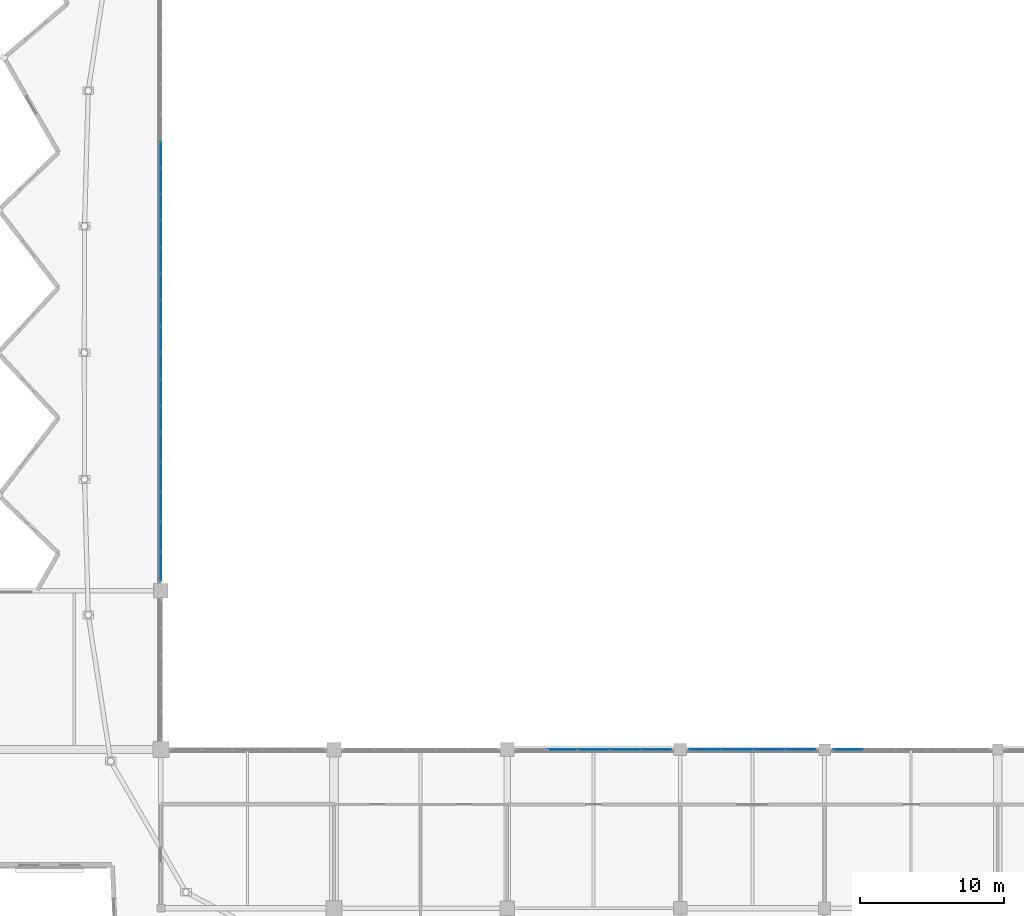
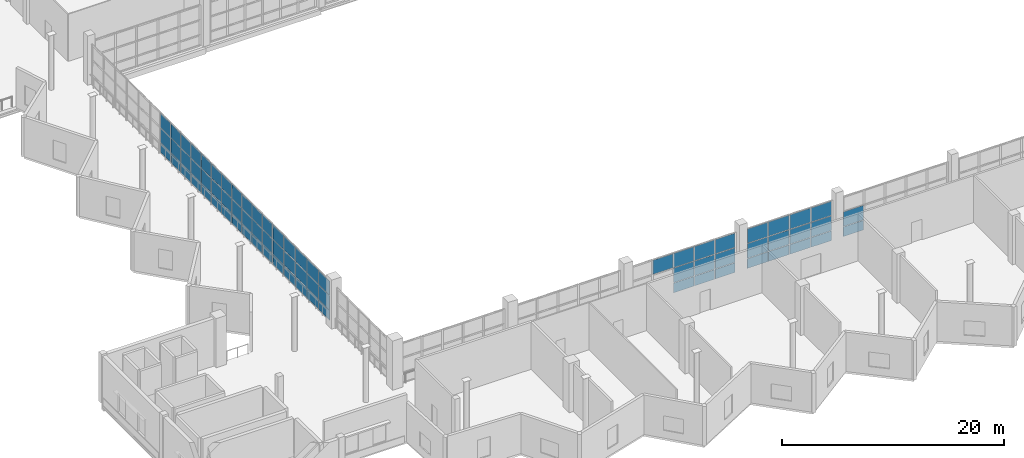
# One storey, part 30 of 49: 72 plates, 6 elements without a shape of their own.
"""IFC4 building model written with IfcOpenShell, lengths in metres."""

from ifc_helpers import new_model, si_unit, direction, frame, origin, origin_2d, place, context, subcontext, project, spatial, rectangle, extrude, material, layer, layer_set, type_object, element, aggregate, save


model = new_model("IFC4")

# Units and contexts
model_context = context("Model", 3, precision=1e-05, world=origin(), true_north=direction((0.0, 1.0)))
body_context = subcontext(model_context, "Body", "Model", "MODEL_VIEW")
ifc_project = project(units=[si_unit("LENGTHUNIT", "METRE"), si_unit("AREAUNIT", "SQUARE_METRE"), si_unit("VOLUMEUNIT", "CUBIC_METRE"), si_unit("PLANEANGLEUNIT", "RADIAN"), si_unit("MASSUNIT", "GRAM", prefix="KILO")], contexts=[model_context])

# Site, building, storey
site_placement = place(None, origin())
site = spatial("IfcSite", under=ifc_project, at=site_placement, CompositionType="ELEMENT")
building_placement = place(site_placement, origin())
building = spatial("IfcBuilding", under=site, at=building_placement, Name="Luwafu Chhajja Arena", CompositionType="ELEMENT")
storey_placement = place(building_placement, frame((0.0, 0.0, 24.300048828125)))
storey = spatial("IfcBuildingStorey", under=building, at=storey_placement, Name="L05", CompositionType="ELEMENT", Elevation=24.300048828125)

# Curtain wall, plates
ifc_material_1 = material(Name="Anodised bronze aluminium", Category="aluminium")
curtain_wall_type = type_object("IfcCurtainWallType", Name="VIP Club Terrace Curtain Wall", PredefinedType="USERDEFINED", material=ifc_material_1)
curtain_wall_1_placement = place(storey_placement, origin())
curtain_wall_1 = element("IfcCurtainWall", 1, at=curtain_wall_1_placement, inside=storey, type_object=curtain_wall_type, Name="L05 Bowl Viewing Curtain Wall CWR-L05-03", ObjectType="CURTAIN WALL", PredefinedType="USERDEFINED")
ifc_material_2 = material(Name="Solar-control laminated glass", Category="glass")
ifc_layer = layer(ifc_material_2, 0.035888671875, Name="Solar-control laminated glass")
ifc_layer_set = layer_set([ifc_layer], Name="Solar-control laminated glass")
plate_type = type_object("IfcPlateType", Name="Acoustic Broadcast Double Glazed CW Panel 36", PredefinedType="CURTAIN_PANEL", material=ifc_layer_set)
plate_1_placement = place(storey_placement, frame((85.861083984375, 22.0, 2.83251953125), z_axis=(0.0, 0.0, 1.0), x_axis=(1.0, 0.0, 0.0)))
plate_1 = element("IfcPlate", 2, at=plate_1_placement, type_object=plate_type, Name="CW-10 panel 2.3", PredefinedType="CURTAIN_PANEL", context=body_context, shape_type="SweptSolid", body=[
    extrude(rectangle(XDim=2.09912109375, YDim=0.035888671875, at=origin_2d()), origin(), (0.0, 0.0, 1.0), 1.552490234375),
])
plate_2_placement = place(storey_placement, frame((88.02490234375, 22.0, 0.06494140625), z_axis=(0.0, 0.0, 1.0), x_axis=(1.0, 0.0, 0.0)))
plate_2 = element("IfcPlate", 3, at=plate_2_placement, type_object=plate_type, Name="CW-10 panel 3.1", PredefinedType="CURTAIN_PANEL", context=body_context, shape_type="SweptSolid", body=[
    extrude(rectangle(XDim=2.09912109375, YDim=0.035888671875, at=origin_2d()), origin(), (0.0, 0.0, 1.0), 1.052490234375),
])
plate_3_placement = place(storey_placement, frame((88.02490234375, 22.0, 1.182373046875), z_axis=(0.0, 0.0, 1.0), x_axis=(1.0, 0.0, 0.0)))
plate_3 = element("IfcPlate", 4, at=plate_3_placement, type_object=plate_type, Name="CW-10 panel 3.2", PredefinedType="CURTAIN_PANEL", context=body_context, shape_type="SweptSolid", body=[
    extrude(rectangle(XDim=2.09912109375, YDim=0.035888671875, at=origin_2d()), origin(), (0.0, 0.0, 1.0), 1.5849609375),
])
plate_4_placement = place(storey_placement, frame((88.02490234375, 22.0, 2.83251953125), z_axis=(0.0, 0.0, 1.0), x_axis=(1.0, 0.0, 0.0)))
plate_4 = element("IfcPlate", 5, at=plate_4_placement, type_object=plate_type, Name="CW-10 panel 3.3", PredefinedType="CURTAIN_PANEL", context=body_context, shape_type="SweptSolid", body=[
    extrude(rectangle(XDim=2.09912109375, YDim=0.035888671875, at=origin_2d()), origin(), (0.0, 0.0, 1.0), 1.552490234375),
])
plate_5_placement = place(storey_placement, frame((90.18896484375, 22.0, 0.06494140625), z_axis=(0.0, 0.0, 1.0), x_axis=(1.0, 0.0, 0.0)))
plate_5 = element("IfcPlate", 6, at=plate_5_placement, type_object=plate_type, Name="CW-10 panel 4.1", PredefinedType="CURTAIN_PANEL", context=body_context, shape_type="SweptSolid", body=[
    extrude(rectangle(XDim=2.09912109375, YDim=0.035888671875, at=origin_2d()), origin(), (0.0, 0.0, 1.0), 1.052490234375),
])
plate_6_placement = place(storey_placement, frame((90.18896484375, 22.0, 1.182373046875), z_axis=(0.0, 0.0, 1.0), x_axis=(1.0, 0.0, 0.0)))
plate_6 = element("IfcPlate", 7, at=plate_6_placement, type_object=plate_type, Name="CW-10 panel 4.2", PredefinedType="CURTAIN_PANEL", context=body_context, shape_type="SweptSolid", body=[
    extrude(rectangle(XDim=2.09912109375, YDim=0.035888671875, at=origin_2d()), origin(), (0.0, 0.0, 1.0), 1.5849609375),
])
plate_7_placement = place(storey_placement, frame((90.18896484375, 22.0, 2.83251953125), z_axis=(0.0, 0.0, 1.0), x_axis=(1.0, 0.0, 0.0)))
plate_7 = element("IfcPlate", 8, at=plate_7_placement, type_object=plate_type, Name="CW-10 panel 4.3", PredefinedType="CURTAIN_PANEL", context=body_context, shape_type="SweptSolid", body=[
    extrude(rectangle(XDim=2.09912109375, YDim=0.035888671875, at=origin_2d()), origin(), (0.0, 0.0, 1.0), 1.552490234375),
])
plate_8_placement = place(storey_placement, frame((92.336669921875, 22.0, 0.06494140625), z_axis=(0.0, 0.0, 1.0), x_axis=(1.0, 0.0, 0.0)))
plate_8 = element("IfcPlate", 9, at=plate_8_placement, type_object=plate_type, Name="CW-10 panel 5.1", PredefinedType="CURTAIN_PANEL", context=body_context, shape_type="SweptSolid", body=[
    extrude(rectangle(XDim=2.06640625, YDim=0.035888671875, at=origin_2d()), origin(), (0.0, 0.0, 1.0), 1.052490234375),
])
plate_9_placement = place(storey_placement, frame((92.336669921875, 22.0, 1.182373046875), z_axis=(0.0, 0.0, 1.0), x_axis=(1.0, 0.0, 0.0)))
plate_9 = element("IfcPlate", 10, at=plate_9_placement, type_object=plate_type, Name="CW-10 panel 5.2", PredefinedType="CURTAIN_PANEL", context=body_context, shape_type="SweptSolid", body=[
    extrude(rectangle(XDim=2.06640625, YDim=0.035888671875, at=origin_2d()), origin(), (0.0, 0.0, 1.0), 1.5849609375),
])
plate_10_placement = place(storey_placement, frame((92.336669921875, 22.0, 2.83251953125), z_axis=(0.0, 0.0, 1.0), x_axis=(1.0, 0.0, 0.0)))
plate_10 = element("IfcPlate", 11, at=plate_10_placement, type_object=plate_type, Name="CW-10 panel 5.3", PredefinedType="CURTAIN_PANEL", context=body_context, shape_type="SweptSolid", body=[
    extrude(rectangle(XDim=2.06640625, YDim=0.035888671875, at=origin_2d()), origin(), (0.0, 0.0, 1.0), 1.552490234375),
])
aggregate(curtain_wall_1, [plate_1, plate_2, plate_3, plate_4, plate_5, plate_6, plate_7, plate_8, plate_9, plate_10])

curtain_wall_2_placement = place(storey_placement, origin())
curtain_wall_2 = element("IfcCurtainWall", 12, at=curtain_wall_2_placement, inside=storey, type_object=curtain_wall_type, Name="L05 Bowl Viewing Curtain Wall CWR-L05-04", ObjectType="CURTAIN WALL", PredefinedType="USERDEFINED")
plate_11_placement = place(storey_placement, frame((95.693115234375, 22.0, 0.06494140625), z_axis=(0.0, 0.0, 1.0), x_axis=(1.0, 0.0, 0.0)))
plate_11 = element("IfcPlate", 13, at=plate_11_placement, type_object=plate_type, Name="CW-10 panel 1.1", PredefinedType="CURTAIN_PANEL", context=body_context, shape_type="SweptSolid", body=[
    extrude(rectangle(XDim=2.126220703125, YDim=0.035888671875, at=origin_2d()), origin(), (0.0, 0.0, 1.0), 1.052490234375),
])
plate_12_placement = place(storey_placement, frame((95.693115234375, 22.0, 1.182373046875), z_axis=(0.0, 0.0, 1.0), x_axis=(1.0, 0.0, 0.0)))
plate_12 = element("IfcPlate", 14, at=plate_12_placement, type_object=plate_type, Name="CW-10 panel 1.2", PredefinedType="CURTAIN_PANEL", context=body_context, shape_type="SweptSolid", body=[
    extrude(rectangle(XDim=2.126220703125, YDim=0.035888671875, at=origin_2d()), origin(), (0.0, 0.0, 1.0), 1.5849609375),
])
plate_13_placement = place(storey_placement, frame((95.693115234375, 22.0, 2.83251953125), z_axis=(0.0, 0.0, 1.0), x_axis=(1.0, 0.0, 0.0)))
plate_13 = element("IfcPlate", 15, at=plate_13_placement, type_object=plate_type, Name="CW-10 panel 1.3", PredefinedType="CURTAIN_PANEL", context=body_context, shape_type="SweptSolid", body=[
    extrude(rectangle(XDim=2.126220703125, YDim=0.035888671875, at=origin_2d()), origin(), (0.0, 0.0, 1.0), 1.552490234375),
])
plate_14_placement = place(storey_placement, frame((97.900634765625, 22.0, 0.06494140625), z_axis=(0.0, 0.0, 1.0), x_axis=(1.0, 0.0, 0.0)))
plate_14 = element("IfcPlate", 16, at=plate_14_placement, type_object=plate_type, Name="CW-10 panel 2.1", PredefinedType="CURTAIN_PANEL", context=body_context, shape_type="SweptSolid", body=[
    extrude(rectangle(XDim=2.15869140625, YDim=0.035888671875, at=origin_2d()), origin(), (0.0, 0.0, 1.0), 1.052490234375),
])
plate_15_placement = place(storey_placement, frame((97.900634765625, 22.0, 1.182373046875), z_axis=(0.0, 0.0, 1.0), x_axis=(1.0, 0.0, 0.0)))
plate_15 = element("IfcPlate", 17, at=plate_15_placement, type_object=plate_type, Name="CW-10 panel 2.2", PredefinedType="CURTAIN_PANEL", context=body_context, shape_type="SweptSolid", body=[
    extrude(rectangle(XDim=2.15869140625, YDim=0.035888671875, at=origin_2d()), origin(), (0.0, 0.0, 1.0), 1.5849609375),
])
plate_16_placement = place(storey_placement, frame((97.900634765625, 22.0, 2.83251953125), z_axis=(0.0, 0.0, 1.0), x_axis=(1.0, 0.0, 0.0)))
plate_16 = element("IfcPlate", 18, at=plate_16_placement, type_object=plate_type, Name="CW-10 panel 2.3", PredefinedType="CURTAIN_PANEL", context=body_context, shape_type="SweptSolid", body=[
    extrude(rectangle(XDim=2.15869140625, YDim=0.035888671875, at=origin_2d()), origin(), (0.0, 0.0, 1.0), 1.552490234375),
])
plate_17_placement = place(storey_placement, frame((100.124267578125, 22.0, 0.06494140625), z_axis=(0.0, 0.0, 1.0), x_axis=(1.0, 0.0, 0.0)))
plate_17 = element("IfcPlate", 19, at=plate_17_placement, type_object=plate_type, Name="CW-10 panel 3.1", PredefinedType="CURTAIN_PANEL", context=body_context, shape_type="SweptSolid", body=[
    extrude(rectangle(XDim=2.15869140625, YDim=0.035888671875, at=origin_2d()), origin(), (0.0, 0.0, 1.0), 1.052490234375),
])
plate_18_placement = place(storey_placement, frame((100.124267578125, 22.0, 1.182373046875), z_axis=(0.0, 0.0, 1.0), x_axis=(1.0, 0.0, 0.0)))
plate_18 = element("IfcPlate", 20, at=plate_18_placement, type_object=plate_type, Name="CW-10 panel 3.2", PredefinedType="CURTAIN_PANEL", context=body_context, shape_type="SweptSolid", body=[
    extrude(rectangle(XDim=2.15869140625, YDim=0.035888671875, at=origin_2d()), origin(), (0.0, 0.0, 1.0), 1.5849609375),
])
plate_19_placement = place(storey_placement, frame((100.124267578125, 22.0, 2.83251953125), z_axis=(0.0, 0.0, 1.0), x_axis=(1.0, 0.0, 0.0)))
plate_19 = element("IfcPlate", 21, at=plate_19_placement, type_object=plate_type, Name="CW-10 panel 3.3", PredefinedType="CURTAIN_PANEL", context=body_context, shape_type="SweptSolid", body=[
    extrude(rectangle(XDim=2.15869140625, YDim=0.035888671875, at=origin_2d()), origin(), (0.0, 0.0, 1.0), 1.552490234375),
])
plate_20_placement = place(storey_placement, frame((102.331787109375, 22.0, 0.06494140625), z_axis=(0.0, 0.0, 1.0), x_axis=(1.0, 0.0, 0.0)))
plate_20 = element("IfcPlate", 22, at=plate_20_placement, type_object=plate_type, Name="CW-10 panel 4.1", PredefinedType="CURTAIN_PANEL", context=body_context, shape_type="SweptSolid", body=[
    extrude(rectangle(XDim=2.126220703125, YDim=0.035888671875, at=origin_2d()), origin(), (0.0, 0.0, 1.0), 1.052490234375),
])
plate_21_placement = place(storey_placement, frame((102.331787109375, 22.0, 1.182373046875), z_axis=(0.0, 0.0, 1.0), x_axis=(1.0, 0.0, 0.0)))
plate_21 = element("IfcPlate", 23, at=plate_21_placement, type_object=plate_type, Name="CW-10 panel 4.2", PredefinedType="CURTAIN_PANEL", context=body_context, shape_type="SweptSolid", body=[
    extrude(rectangle(XDim=2.126220703125, YDim=0.035888671875, at=origin_2d()), origin(), (0.0, 0.0, 1.0), 1.5849609375),
])
plate_22_placement = place(storey_placement, frame((102.331787109375, 22.0, 2.83251953125), z_axis=(0.0, 0.0, 1.0), x_axis=(1.0, 0.0, 0.0)))
plate_22 = element("IfcPlate", 24, at=plate_22_placement, type_object=plate_type, Name="CW-10 panel 4.3", PredefinedType="CURTAIN_PANEL", context=body_context, shape_type="SweptSolid", body=[
    extrude(rectangle(XDim=2.126220703125, YDim=0.035888671875, at=origin_2d()), origin(), (0.0, 0.0, 1.0), 1.552490234375),
])
aggregate(curtain_wall_2, [plate_11, plate_12, plate_13, plate_14, plate_15, plate_16, plate_17, plate_18, plate_19, plate_20, plate_21, plate_22])

curtain_wall_3_placement = place(storey_placement, origin())
curtain_wall_3 = element("IfcCurtainWall", 25, at=curtain_wall_3_placement, inside=storey, type_object=curtain_wall_type, Name="L05 Bowl Viewing Curtain Wall CWR-L05-05", ObjectType="CURTAIN WALL", PredefinedType="USERDEFINED")
plate_23_placement = place(storey_placement, frame((105.650634765625, 22.0, 0.06494140625), z_axis=(0.0, 0.0, 1.0), x_axis=(1.0, 0.0, 0.0)))
plate_23 = element("IfcPlate", 26, at=plate_23_placement, type_object=plate_type, Name="CW-10 panel 1.1", PredefinedType="CURTAIN_PANEL", context=body_context, shape_type="SweptSolid", body=[
    extrude(rectangle(XDim=2.091552734375, YDim=0.035888671875, at=origin_2d()), origin(), (0.0, 0.0, 1.0), 1.052490234375),
])
plate_24_placement = place(storey_placement, frame((105.650634765625, 22.0, 1.182373046875), z_axis=(0.0, 0.0, 1.0), x_axis=(1.0, 0.0, 0.0)))
plate_24 = element("IfcPlate", 27, at=plate_24_placement, type_object=plate_type, Name="CW-10 panel 1.2", PredefinedType="CURTAIN_PANEL", context=body_context, shape_type="SweptSolid", body=[
    extrude(rectangle(XDim=2.091552734375, YDim=0.035888671875, at=origin_2d()), origin(), (0.0, 0.0, 1.0), 1.5849609375),
])
aggregate(curtain_wall_3, [plate_23, plate_24])

curtain_wall_4_placement = place(storey_placement, origin())
curtain_wall_4 = element("IfcCurtainWall", 28, at=curtain_wall_4_placement, inside=storey, type_object=curtain_wall_type, Name="L05 Bowl Viewing Curtain Wall CWR-L05-16", ObjectType="CURTAIN WALL", PredefinedType="USERDEFINED")
plate_25_placement = place(storey_placement, frame((58.0, 34.692138671875, 0.06494140625), z_axis=(0.0, 0.0, 1.0), x_axis=(0.0, 1.0, 0.0)))
plate_25 = element("IfcPlate", 29, at=plate_25_placement, type_object=plate_type, Name="CW-10 panel 1.1", PredefinedType="CURTAIN_PANEL", context=body_context, shape_type="SweptSolid", body=[
    extrude(rectangle(XDim=1.974609375, YDim=0.035888671875, at=origin_2d()), origin(), (0.0, 0.0, 1.0), 1.052490234375),
])
plate_26_placement = place(storey_placement, frame((58.0, 34.692138671875, 1.182373046875), z_axis=(0.0, 0.0, 1.0), x_axis=(0.0, 1.0, 0.0)))
plate_26 = element("IfcPlate", 30, at=plate_26_placement, type_object=plate_type, Name="CW-10 panel 1.2", PredefinedType="CURTAIN_PANEL", context=body_context, shape_type="SweptSolid", body=[
    extrude(rectangle(XDim=1.974609375, YDim=0.035888671875, at=origin_2d()), origin(), (0.0, 0.0, 1.0), 1.5849609375),
])
plate_27_placement = place(storey_placement, frame((58.0, 34.692138671875, 2.83251953125), z_axis=(0.0, 0.0, 1.0), x_axis=(0.0, 1.0, 0.0)))
plate_27 = element("IfcPlate", 31, at=plate_27_placement, type_object=plate_type, Name="CW-10 panel 1.3", PredefinedType="CURTAIN_PANEL", context=body_context, shape_type="SweptSolid", body=[
    extrude(rectangle(XDim=1.974609375, YDim=0.035888671875, at=origin_2d()), origin(), (0.0, 0.0, 1.0), 1.552490234375),
])
plate_28_placement = place(storey_placement, frame((58.0, 36.748046875, 0.06494140625), z_axis=(0.0, 0.0, 1.0), x_axis=(0.0, 1.0, 0.0)))
plate_28 = element("IfcPlate", 32, at=plate_28_placement, type_object=plate_type, Name="CW-10 panel 2.1", PredefinedType="CURTAIN_PANEL", context=body_context, shape_type="SweptSolid", body=[
    extrude(rectangle(XDim=2.007080078125, YDim=0.035888671875, at=origin_2d()), origin(), (0.0, 0.0, 1.0), 1.052490234375),
])
plate_29_placement = place(storey_placement, frame((58.0, 36.748046875, 1.182373046875), z_axis=(0.0, 0.0, 1.0), x_axis=(0.0, 1.0, 0.0)))
plate_29 = element("IfcPlate", 33, at=plate_29_placement, type_object=plate_type, Name="CW-10 panel 2.2", PredefinedType="CURTAIN_PANEL", context=body_context, shape_type="SweptSolid", body=[
    extrude(rectangle(XDim=2.007080078125, YDim=0.035888671875, at=origin_2d()), origin(), (0.0, 0.0, 1.0), 1.5849609375),
])
plate_30_placement = place(storey_placement, frame((58.0, 36.748046875, 2.83251953125), z_axis=(0.0, 0.0, 1.0), x_axis=(0.0, 1.0, 0.0)))
plate_30 = element("IfcPlate", 34, at=plate_30_placement, type_object=plate_type, Name="CW-10 panel 2.3", PredefinedType="CURTAIN_PANEL", context=body_context, shape_type="SweptSolid", body=[
    extrude(rectangle(XDim=2.007080078125, YDim=0.035888671875, at=origin_2d()), origin(), (0.0, 0.0, 1.0), 1.552490234375),
])
plate_31_placement = place(storey_placement, frame((58.0, 38.820068359375, 0.06494140625), z_axis=(0.0, 0.0, 1.0), x_axis=(0.0, 1.0, 0.0)))
plate_31 = element("IfcPlate", 35, at=plate_31_placement, type_object=plate_type, Name="CW-10 panel 3.1", PredefinedType="CURTAIN_PANEL", context=body_context, shape_type="SweptSolid", body=[
    extrude(rectangle(XDim=2.007080078125, YDim=0.035888671875, at=origin_2d()), origin(), (0.0, 0.0, 1.0), 1.052490234375),
])
plate_32_placement = place(storey_placement, frame((58.0, 38.820068359375, 1.182373046875), z_axis=(0.0, 0.0, 1.0), x_axis=(0.0, 1.0, 0.0)))
plate_32 = element("IfcPlate", 36, at=plate_32_placement, type_object=plate_type, Name="CW-10 panel 3.2", PredefinedType="CURTAIN_PANEL", context=body_context, shape_type="SweptSolid", body=[
    extrude(rectangle(XDim=2.007080078125, YDim=0.035888671875, at=origin_2d()), origin(), (0.0, 0.0, 1.0), 1.5849609375),
])
plate_33_placement = place(storey_placement, frame((58.0, 38.820068359375, 2.83251953125), z_axis=(0.0, 0.0, 1.0), x_axis=(0.0, 1.0, 0.0)))
plate_33 = element("IfcPlate", 37, at=plate_33_placement, type_object=plate_type, Name="CW-10 panel 3.3", PredefinedType="CURTAIN_PANEL", context=body_context, shape_type="SweptSolid", body=[
    extrude(rectangle(XDim=2.007080078125, YDim=0.035888671875, at=origin_2d()), origin(), (0.0, 0.0, 1.0), 1.552490234375),
])
plate_34_placement = place(storey_placement, frame((58.0, 40.89208984375, 0.06494140625), z_axis=(0.0, 0.0, 1.0), x_axis=(0.0, 1.0, 0.0)))
plate_34 = element("IfcPlate", 38, at=plate_34_placement, type_object=plate_type, Name="CW-10 panel 4.1", PredefinedType="CURTAIN_PANEL", context=body_context, shape_type="SweptSolid", body=[
    extrude(rectangle(XDim=2.007080078125, YDim=0.035888671875, at=origin_2d()), origin(), (0.0, 0.0, 1.0), 1.052490234375),
])
plate_35_placement = place(storey_placement, frame((58.0, 40.89208984375, 1.182373046875), z_axis=(0.0, 0.0, 1.0), x_axis=(0.0, 1.0, 0.0)))
plate_35 = element("IfcPlate", 39, at=plate_35_placement, type_object=plate_type, Name="CW-10 panel 4.2", PredefinedType="CURTAIN_PANEL", context=body_context, shape_type="SweptSolid", body=[
    extrude(rectangle(XDim=2.007080078125, YDim=0.035888671875, at=origin_2d()), origin(), (0.0, 0.0, 1.0), 1.5849609375),
])
plate_36_placement = place(storey_placement, frame((58.0, 40.89208984375, 2.83251953125), z_axis=(0.0, 0.0, 1.0), x_axis=(0.0, 1.0, 0.0)))
plate_36 = element("IfcPlate", 40, at=plate_36_placement, type_object=plate_type, Name="CW-10 panel 4.3", PredefinedType="CURTAIN_PANEL", context=body_context, shape_type="SweptSolid", body=[
    extrude(rectangle(XDim=2.007080078125, YDim=0.035888671875, at=origin_2d()), origin(), (0.0, 0.0, 1.0), 1.552490234375),
])
plate_37_placement = place(storey_placement, frame((58.0, 42.94775390625, 0.06494140625), z_axis=(0.0, 0.0, 1.0), x_axis=(0.0, 1.0, 0.0)))
plate_37 = element("IfcPlate", 41, at=plate_37_placement, type_object=plate_type, Name="CW-10 panel 5.1", PredefinedType="CURTAIN_PANEL", context=body_context, shape_type="SweptSolid", body=[
    extrude(rectangle(XDim=1.974609375, YDim=0.035888671875, at=origin_2d()), origin(), (0.0, 0.0, 1.0), 1.052490234375),
])
plate_38_placement = place(storey_placement, frame((58.0, 42.94775390625, 1.182373046875), z_axis=(0.0, 0.0, 1.0), x_axis=(0.0, 1.0, 0.0)))
plate_38 = element("IfcPlate", 42, at=plate_38_placement, type_object=plate_type, Name="CW-10 panel 5.2", PredefinedType="CURTAIN_PANEL", context=body_context, shape_type="SweptSolid", body=[
    extrude(rectangle(XDim=1.974609375, YDim=0.035888671875, at=origin_2d()), origin(), (0.0, 0.0, 1.0), 1.5849609375),
])
plate_39_placement = place(storey_placement, frame((58.0, 42.94775390625, 2.83251953125), z_axis=(0.0, 0.0, 1.0), x_axis=(0.0, 1.0, 0.0)))
plate_39 = element("IfcPlate", 43, at=plate_39_placement, type_object=plate_type, Name="CW-10 panel 5.3", PredefinedType="CURTAIN_PANEL", context=body_context, shape_type="SweptSolid", body=[
    extrude(rectangle(XDim=1.974609375, YDim=0.035888671875, at=origin_2d()), origin(), (0.0, 0.0, 1.0), 1.552490234375),
])
aggregate(curtain_wall_4, [plate_25, plate_26, plate_27, plate_28, plate_29, plate_30, plate_31, plate_32, plate_33, plate_34, plate_35, plate_36, plate_37, plate_38, plate_39])

curtain_wall_5_placement = place(storey_placement, origin())
curtain_wall_5 = element("IfcCurtainWall", 44, at=curtain_wall_5_placement, inside=storey, type_object=curtain_wall_type, Name="L05 Bowl Viewing Curtain Wall CWR-L05-17", ObjectType="CURTAIN WALL", PredefinedType="USERDEFINED")
plate_40_placement = place(storey_placement, frame((58.0, 44.932861328125, 0.06494140625), z_axis=(0.0, 0.0, 1.0), x_axis=(0.0, 1.0, 0.0)))
plate_40 = element("IfcPlate", 45, at=plate_40_placement, type_object=plate_type, Name="CW-10 panel 1.1", PredefinedType="CURTAIN_PANEL", context=body_context, shape_type="SweptSolid", body=[
    extrude(rectangle(XDim=1.73583984375, YDim=0.035888671875, at=origin_2d()), origin(), (0.0, 0.0, 1.0), 1.052490234375),
])
plate_41_placement = place(storey_placement, frame((58.0, 44.932861328125, 1.182373046875), z_axis=(0.0, 0.0, 1.0), x_axis=(0.0, 1.0, 0.0)))
plate_41 = element("IfcPlate", 46, at=plate_41_placement, type_object=plate_type, Name="CW-10 panel 1.2", PredefinedType="CURTAIN_PANEL", context=body_context, shape_type="SweptSolid", body=[
    extrude(rectangle(XDim=1.73583984375, YDim=0.035888671875, at=origin_2d()), origin(), (0.0, 0.0, 1.0), 1.5849609375),
])
plate_42_placement = place(storey_placement, frame((58.0, 44.932861328125, 2.83251953125), z_axis=(0.0, 0.0, 1.0), x_axis=(0.0, 1.0, 0.0)))
plate_42 = element("IfcPlate", 47, at=plate_42_placement, type_object=plate_type, Name="CW-10 panel 1.3", PredefinedType="CURTAIN_PANEL", context=body_context, shape_type="SweptSolid", body=[
    extrude(rectangle(XDim=1.73583984375, YDim=0.035888671875, at=origin_2d()), origin(), (0.0, 0.0, 1.0), 1.552490234375),
])
plate_43_placement = place(storey_placement, frame((58.0, 46.75, 0.06494140625), z_axis=(0.0, 0.0, 1.0), x_axis=(0.0, 1.0, 0.0)))
plate_43 = element("IfcPlate", 48, at=plate_43_placement, type_object=plate_type, Name="CW-10 panel 2.1", PredefinedType="CURTAIN_PANEL", context=body_context, shape_type="SweptSolid", body=[
    extrude(rectangle(XDim=1.768310546875, YDim=0.035888671875, at=origin_2d()), origin(), (0.0, 0.0, 1.0), 1.052490234375),
])
plate_44_placement = place(storey_placement, frame((58.0, 46.75, 1.182373046875), z_axis=(0.0, 0.0, 1.0), x_axis=(0.0, 1.0, 0.0)))
plate_44 = element("IfcPlate", 49, at=plate_44_placement, type_object=plate_type, Name="CW-10 panel 2.2", PredefinedType="CURTAIN_PANEL", context=body_context, shape_type="SweptSolid", body=[
    extrude(rectangle(XDim=1.768310546875, YDim=0.035888671875, at=origin_2d()), origin(), (0.0, 0.0, 1.0), 1.5849609375),
])
plate_45_placement = place(storey_placement, frame((58.0, 46.75, 2.83251953125), z_axis=(0.0, 0.0, 1.0), x_axis=(0.0, 1.0, 0.0)))
plate_45 = element("IfcPlate", 50, at=plate_45_placement, type_object=plate_type, Name="CW-10 panel 2.3", PredefinedType="CURTAIN_PANEL", context=body_context, shape_type="SweptSolid", body=[
    extrude(rectangle(XDim=1.768310546875, YDim=0.035888671875, at=origin_2d()), origin(), (0.0, 0.0, 1.0), 1.552490234375),
])
plate_46_placement = place(storey_placement, frame((58.0, 48.583251953125, 0.06494140625), z_axis=(0.0, 0.0, 1.0), x_axis=(0.0, 1.0, 0.0)))
plate_46 = element("IfcPlate", 51, at=plate_46_placement, type_object=plate_type, Name="CW-10 panel 3.1", PredefinedType="CURTAIN_PANEL", context=body_context, shape_type="SweptSolid", body=[
    extrude(rectangle(XDim=1.768310546875, YDim=0.035888671875, at=origin_2d()), origin(), (0.0, 0.0, 1.0), 1.052490234375),
])
plate_47_placement = place(storey_placement, frame((58.0, 48.583251953125, 1.182373046875), z_axis=(0.0, 0.0, 1.0), x_axis=(0.0, 1.0, 0.0)))
plate_47 = element("IfcPlate", 52, at=plate_47_placement, type_object=plate_type, Name="CW-10 panel 3.2", PredefinedType="CURTAIN_PANEL", context=body_context, shape_type="SweptSolid", body=[
    extrude(rectangle(XDim=1.768310546875, YDim=0.035888671875, at=origin_2d()), origin(), (0.0, 0.0, 1.0), 1.5849609375),
])
plate_48_placement = place(storey_placement, frame((58.0, 48.583251953125, 2.83251953125), z_axis=(0.0, 0.0, 1.0), x_axis=(0.0, 1.0, 0.0)))
plate_48 = element("IfcPlate", 53, at=plate_48_placement, type_object=plate_type, Name="CW-10 panel 3.3", PredefinedType="CURTAIN_PANEL", context=body_context, shape_type="SweptSolid", body=[
    extrude(rectangle(XDim=1.768310546875, YDim=0.035888671875, at=origin_2d()), origin(), (0.0, 0.0, 1.0), 1.552490234375),
])
plate_49_placement = place(storey_placement, frame((58.0, 50.416748046875, 0.06494140625), z_axis=(0.0, 0.0, 1.0), x_axis=(0.0, 1.0, 0.0)))
plate_49 = element("IfcPlate", 54, at=plate_49_placement, type_object=plate_type, Name="CW-10 panel 4.1", PredefinedType="CURTAIN_PANEL", context=body_context, shape_type="SweptSolid", body=[
    extrude(rectangle(XDim=1.768310546875, YDim=0.035888671875, at=origin_2d()), origin(), (0.0, 0.0, 1.0), 1.052490234375),
])
plate_50_placement = place(storey_placement, frame((58.0, 50.416748046875, 1.182373046875), z_axis=(0.0, 0.0, 1.0), x_axis=(0.0, 1.0, 0.0)))
plate_50 = element("IfcPlate", 55, at=plate_50_placement, type_object=plate_type, Name="CW-10 panel 4.2", PredefinedType="CURTAIN_PANEL", context=body_context, shape_type="SweptSolid", body=[
    extrude(rectangle(XDim=1.768310546875, YDim=0.035888671875, at=origin_2d()), origin(), (0.0, 0.0, 1.0), 1.5849609375),
])
plate_51_placement = place(storey_placement, frame((58.0, 50.416748046875, 2.83251953125), z_axis=(0.0, 0.0, 1.0), x_axis=(0.0, 1.0, 0.0)))
plate_51 = element("IfcPlate", 56, at=plate_51_placement, type_object=plate_type, Name="CW-10 panel 4.3", PredefinedType="CURTAIN_PANEL", context=body_context, shape_type="SweptSolid", body=[
    extrude(rectangle(XDim=1.768310546875, YDim=0.035888671875, at=origin_2d()), origin(), (0.0, 0.0, 1.0), 1.552490234375),
])
plate_52_placement = place(storey_placement, frame((58.0, 52.25, 0.06494140625), z_axis=(0.0, 0.0, 1.0), x_axis=(0.0, 1.0, 0.0)))
plate_52 = element("IfcPlate", 57, at=plate_52_placement, type_object=plate_type, Name="CW-10 panel 5.1", PredefinedType="CURTAIN_PANEL", context=body_context, shape_type="SweptSolid", body=[
    extrude(rectangle(XDim=1.768310546875, YDim=0.035888671875, at=origin_2d()), origin(), (0.0, 0.0, 1.0), 1.052490234375),
])
plate_53_placement = place(storey_placement, frame((58.0, 52.25, 1.182373046875), z_axis=(0.0, 0.0, 1.0), x_axis=(0.0, 1.0, 0.0)))
plate_53 = element("IfcPlate", 58, at=plate_53_placement, type_object=plate_type, Name="CW-10 panel 5.2", PredefinedType="CURTAIN_PANEL", context=body_context, shape_type="SweptSolid", body=[
    extrude(rectangle(XDim=1.768310546875, YDim=0.035888671875, at=origin_2d()), origin(), (0.0, 0.0, 1.0), 1.5849609375),
])
plate_54_placement = place(storey_placement, frame((58.0, 52.25, 2.83251953125), z_axis=(0.0, 0.0, 1.0), x_axis=(0.0, 1.0, 0.0)))
plate_54 = element("IfcPlate", 59, at=plate_54_placement, type_object=plate_type, Name="CW-10 panel 5.3", PredefinedType="CURTAIN_PANEL", context=body_context, shape_type="SweptSolid", body=[
    extrude(rectangle(XDim=1.768310546875, YDim=0.035888671875, at=origin_2d()), origin(), (0.0, 0.0, 1.0), 1.552490234375),
])
plate_55_placement = place(storey_placement, frame((58.0, 54.067138671875, 0.06494140625), z_axis=(0.0, 0.0, 1.0), x_axis=(0.0, 1.0, 0.0)))
plate_55 = element("IfcPlate", 60, at=plate_55_placement, type_object=plate_type, Name="CW-10 panel 6.1", PredefinedType="CURTAIN_PANEL", context=body_context, shape_type="SweptSolid", body=[
    extrude(rectangle(XDim=1.73583984375, YDim=0.035888671875, at=origin_2d()), origin(), (0.0, 0.0, 1.0), 1.052490234375),
])
plate_56_placement = place(storey_placement, frame((58.0, 54.067138671875, 1.182373046875), z_axis=(0.0, 0.0, 1.0), x_axis=(0.0, 1.0, 0.0)))
plate_56 = element("IfcPlate", 61, at=plate_56_placement, type_object=plate_type, Name="CW-10 panel 6.2", PredefinedType="CURTAIN_PANEL", context=body_context, shape_type="SweptSolid", body=[
    extrude(rectangle(XDim=1.73583984375, YDim=0.035888671875, at=origin_2d()), origin(), (0.0, 0.0, 1.0), 1.5849609375),
])
plate_57_placement = place(storey_placement, frame((58.0, 54.067138671875, 2.83251953125), z_axis=(0.0, 0.0, 1.0), x_axis=(0.0, 1.0, 0.0)))
plate_57 = element("IfcPlate", 62, at=plate_57_placement, type_object=plate_type, Name="CW-10 panel 6.3", PredefinedType="CURTAIN_PANEL", context=body_context, shape_type="SweptSolid", body=[
    extrude(rectangle(XDim=1.73583984375, YDim=0.035888671875, at=origin_2d()), origin(), (0.0, 0.0, 1.0), 1.552490234375),
])
aggregate(curtain_wall_5, [plate_40, plate_41, plate_42, plate_43, plate_44, plate_45, plate_46, plate_47, plate_48, plate_49, plate_50, plate_51, plate_52, plate_53, plate_54, plate_55, plate_56, plate_57])

curtain_wall_6_placement = place(storey_placement, origin())
curtain_wall_6 = element("IfcCurtainWall", 63, at=curtain_wall_6_placement, inside=storey, type_object=curtain_wall_type, Name="L05 Bowl Viewing Curtain Wall CWR-L05-18", ObjectType="CURTAIN WALL", PredefinedType="USERDEFINED")
plate_58_placement = place(storey_placement, frame((58.0, 55.932861328125, 0.06494140625), z_axis=(0.0, 0.0, 1.0), x_axis=(0.0, 1.0, 0.0)))
plate_58 = element("IfcPlate", 64, at=plate_58_placement, type_object=plate_type, Name="CW-10 panel 1.1", PredefinedType="CURTAIN_PANEL", context=body_context, shape_type="SweptSolid", body=[
    extrude(rectangle(XDim=1.73583984375, YDim=0.035888671875, at=origin_2d()), origin(), (0.0, 0.0, 1.0), 1.052490234375),
])
plate_59_placement = place(storey_placement, frame((58.0, 55.932861328125, 1.182373046875), z_axis=(0.0, 0.0, 1.0), x_axis=(0.0, 1.0, 0.0)))
plate_59 = element("IfcPlate", 65, at=plate_59_placement, type_object=plate_type, Name="CW-10 panel 1.2", PredefinedType="CURTAIN_PANEL", context=body_context, shape_type="SweptSolid", body=[
    extrude(rectangle(XDim=1.73583984375, YDim=0.035888671875, at=origin_2d()), origin(), (0.0, 0.0, 1.0), 1.5849609375),
])
plate_60_placement = place(storey_placement, frame((58.0, 55.932861328125, 2.83251953125), z_axis=(0.0, 0.0, 1.0), x_axis=(0.0, 1.0, 0.0)))
plate_60 = element("IfcPlate", 66, at=plate_60_placement, type_object=plate_type, Name="CW-10 panel 1.3", PredefinedType="CURTAIN_PANEL", context=body_context, shape_type="SweptSolid", body=[
    extrude(rectangle(XDim=1.73583984375, YDim=0.035888671875, at=origin_2d()), origin(), (0.0, 0.0, 1.0), 1.552490234375),
])
plate_61_placement = place(storey_placement, frame((58.0, 57.75, 0.06494140625), z_axis=(0.0, 0.0, 1.0), x_axis=(0.0, 1.0, 0.0)))
plate_61 = element("IfcPlate", 67, at=plate_61_placement, type_object=plate_type, Name="CW-10 panel 2.1", PredefinedType="CURTAIN_PANEL", context=body_context, shape_type="SweptSolid", body=[
    extrude(rectangle(XDim=1.768310546875, YDim=0.035888671875, at=origin_2d()), origin(), (0.0, 0.0, 1.0), 1.052490234375),
])
plate_62_placement = place(storey_placement, frame((58.0, 57.75, 1.182373046875), z_axis=(0.0, 0.0, 1.0), x_axis=(0.0, 1.0, 0.0)))
plate_62 = element("IfcPlate", 68, at=plate_62_placement, type_object=plate_type, Name="CW-10 panel 2.2", PredefinedType="CURTAIN_PANEL", context=body_context, shape_type="SweptSolid", body=[
    extrude(rectangle(XDim=1.768310546875, YDim=0.035888671875, at=origin_2d()), origin(), (0.0, 0.0, 1.0), 1.5849609375),
])
plate_63_placement = place(storey_placement, frame((58.0, 57.75, 2.83251953125), z_axis=(0.0, 0.0, 1.0), x_axis=(0.0, 1.0, 0.0)))
plate_63 = element("IfcPlate", 69, at=plate_63_placement, type_object=plate_type, Name="CW-10 panel 2.3", PredefinedType="CURTAIN_PANEL", context=body_context, shape_type="SweptSolid", body=[
    extrude(rectangle(XDim=1.768310546875, YDim=0.035888671875, at=origin_2d()), origin(), (0.0, 0.0, 1.0), 1.552490234375),
])
plate_64_placement = place(storey_placement, frame((58.0, 59.583251953125, 0.06494140625), z_axis=(0.0, 0.0, 1.0), x_axis=(0.0, 1.0, 0.0)))
plate_64 = element("IfcPlate", 70, at=plate_64_placement, type_object=plate_type, Name="CW-10 panel 3.1", PredefinedType="CURTAIN_PANEL", context=body_context, shape_type="SweptSolid", body=[
    extrude(rectangle(XDim=1.768310546875, YDim=0.035888671875, at=origin_2d()), origin(), (0.0, 0.0, 1.0), 1.052490234375),
])
plate_65_placement = place(storey_placement, frame((58.0, 59.583251953125, 1.182373046875), z_axis=(0.0, 0.0, 1.0), x_axis=(0.0, 1.0, 0.0)))
plate_65 = element("IfcPlate", 71, at=plate_65_placement, type_object=plate_type, Name="CW-10 panel 3.2", PredefinedType="CURTAIN_PANEL", context=body_context, shape_type="SweptSolid", body=[
    extrude(rectangle(XDim=1.768310546875, YDim=0.035888671875, at=origin_2d()), origin(), (0.0, 0.0, 1.0), 1.5849609375),
])
plate_66_placement = place(storey_placement, frame((58.0, 59.583251953125, 2.83251953125), z_axis=(0.0, 0.0, 1.0), x_axis=(0.0, 1.0, 0.0)))
plate_66 = element("IfcPlate", 72, at=plate_66_placement, type_object=plate_type, Name="CW-10 panel 3.3", PredefinedType="CURTAIN_PANEL", context=body_context, shape_type="SweptSolid", body=[
    extrude(rectangle(XDim=1.768310546875, YDim=0.035888671875, at=origin_2d()), origin(), (0.0, 0.0, 1.0), 1.552490234375),
])
plate_67_placement = place(storey_placement, frame((58.0, 61.416748046875, 0.06494140625), z_axis=(0.0, 0.0, 1.0), x_axis=(0.0, 1.0, 0.0)))
plate_67 = element("IfcPlate", 73, at=plate_67_placement, type_object=plate_type, Name="CW-10 panel 4.1", PredefinedType="CURTAIN_PANEL", context=body_context, shape_type="SweptSolid", body=[
    extrude(rectangle(XDim=1.768310546875, YDim=0.035888671875, at=origin_2d()), origin(), (0.0, 0.0, 1.0), 1.052490234375),
])
plate_68_placement = place(storey_placement, frame((58.0, 61.416748046875, 1.182373046875), z_axis=(0.0, 0.0, 1.0), x_axis=(0.0, 1.0, 0.0)))
plate_68 = element("IfcPlate", 74, at=plate_68_placement, type_object=plate_type, Name="CW-10 panel 4.2", PredefinedType="CURTAIN_PANEL", context=body_context, shape_type="SweptSolid", body=[
    extrude(rectangle(XDim=1.768310546875, YDim=0.035888671875, at=origin_2d()), origin(), (0.0, 0.0, 1.0), 1.5849609375),
])
plate_69_placement = place(storey_placement, frame((58.0, 61.416748046875, 2.83251953125), z_axis=(0.0, 0.0, 1.0), x_axis=(0.0, 1.0, 0.0)))
plate_69 = element("IfcPlate", 75, at=plate_69_placement, type_object=plate_type, Name="CW-10 panel 4.3", PredefinedType="CURTAIN_PANEL", context=body_context, shape_type="SweptSolid", body=[
    extrude(rectangle(XDim=1.768310546875, YDim=0.035888671875, at=origin_2d()), origin(), (0.0, 0.0, 1.0), 1.552490234375),
])
plate_70_placement = place(storey_placement, frame((58.0, 63.25, 0.06494140625), z_axis=(0.0, 0.0, 1.0), x_axis=(0.0, 1.0, 0.0)))
plate_70 = element("IfcPlate", 76, at=plate_70_placement, type_object=plate_type, Name="CW-10 panel 5.1", PredefinedType="CURTAIN_PANEL", context=body_context, shape_type="SweptSolid", body=[
    extrude(rectangle(XDim=1.768310546875, YDim=0.035888671875, at=origin_2d()), origin(), (0.0, 0.0, 1.0), 1.052490234375),
])
plate_71_placement = place(storey_placement, frame((58.0, 63.25, 1.182373046875), z_axis=(0.0, 0.0, 1.0), x_axis=(0.0, 1.0, 0.0)))
plate_71 = element("IfcPlate", 77, at=plate_71_placement, type_object=plate_type, Name="CW-10 panel 5.2", PredefinedType="CURTAIN_PANEL", context=body_context, shape_type="SweptSolid", body=[
    extrude(rectangle(XDim=1.768310546875, YDim=0.035888671875, at=origin_2d()), origin(), (0.0, 0.0, 1.0), 1.5849609375),
])
plate_72_placement = place(storey_placement, frame((58.0, 63.25, 2.83251953125), z_axis=(0.0, 0.0, 1.0), x_axis=(0.0, 1.0, 0.0)))
plate_72 = element("IfcPlate", 78, at=plate_72_placement, type_object=plate_type, Name="CW-10 panel 5.3", PredefinedType="CURTAIN_PANEL", context=body_context, shape_type="SweptSolid", body=[
    extrude(rectangle(XDim=1.768310546875, YDim=0.035888671875, at=origin_2d()), origin(), (0.0, 0.0, 1.0), 1.552490234375),
])
aggregate(curtain_wall_6, [plate_58, plate_59, plate_60, plate_61, plate_62, plate_63, plate_64, plate_65, plate_66, plate_67, plate_68, plate_69, plate_70, plate_71, plate_72])

save(model, "model.ifc")
